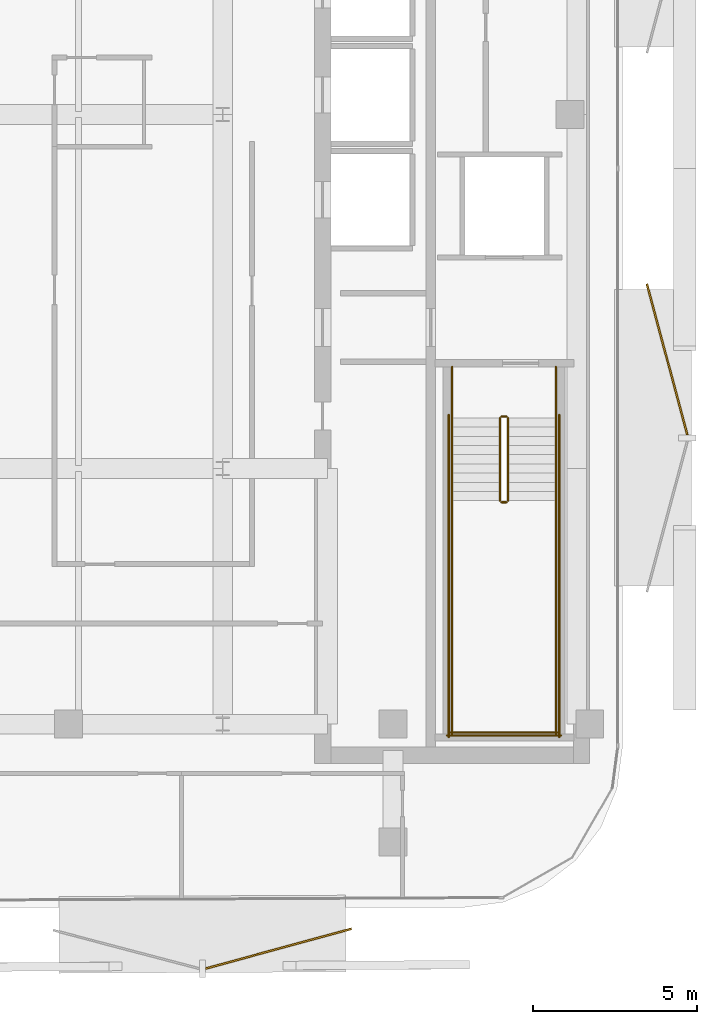
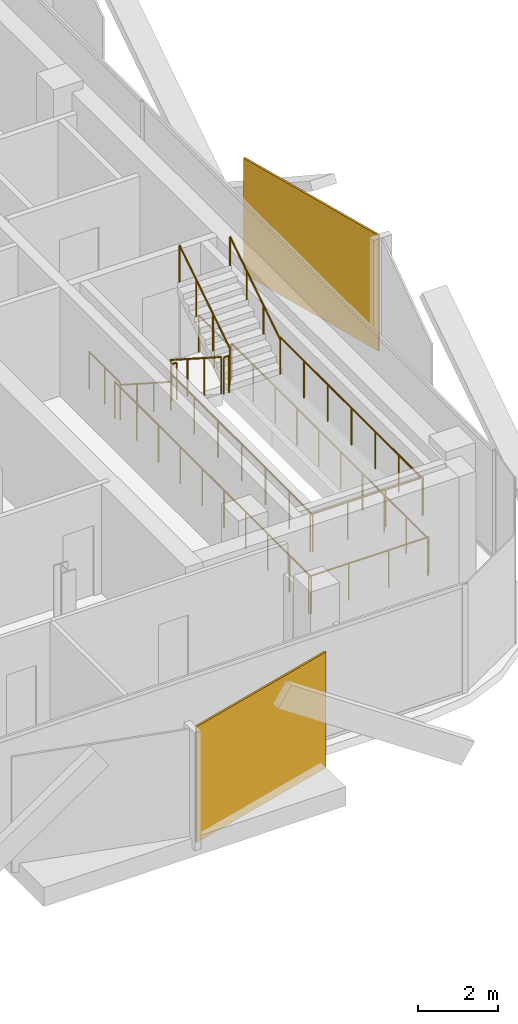
# One storey, part 14 of 15: 14 railings, 2 coverings.
"""IFC4 building model written with IfcOpenShell, lengths in metres."""

from ifc_helpers import new_model, si_unit, direction, frame, origin, origin_2d, place, context, subcontext, project, spatial, rectangle, circle, extrude, material, layer, layer_set, type_object, element, save


model = new_model("IFC4")

# Units and contexts
model_context = context("Model", 3, precision=1e-05, world=origin(), true_north=direction((0.0, 1.0)))
body_context = subcontext(model_context, "Body", "Model", "MODEL_VIEW")
ifc_project = project(units=[si_unit("LENGTHUNIT", "METRE"), si_unit("AREAUNIT", "SQUARE_METRE"), si_unit("VOLUMEUNIT", "CUBIC_METRE"), si_unit("PLANEANGLEUNIT", "RADIAN"), si_unit("MASSUNIT", "GRAM", prefix="KILO")], contexts=[model_context])

# Site, building, storey
site_placement = place(None, origin())
site = spatial("IfcSite", under=ifc_project, at=site_placement, CompositionType="ELEMENT")
building_placement = place(site_placement, origin())
building = spatial("IfcBuilding", under=site, at=building_placement, Name="Khairoan Windgate Tower", CompositionType="ELEMENT")
storey_placement = place(building_placement, frame((0.0, 0.0, 265.60009765625)))
storey = spatial("IfcBuildingStorey", under=building, at=storey_placement, Name="L63", CompositionType="ELEMENT", Elevation=265.60009765625)

# Coverings
ifc_material_1 = material(Name="Anodised Bronze Aluminium 6063-T6", Category="aluminium")
ifc_layer = layer(ifc_material_1, 0.054931640625, Name="Anodised Bronze Aluminium 6063-T6")
ifc_layer_set = layer_set([ifc_layer], Name="Anodised Bronze Aluminium 6063-T6")
covering_type = type_object("IfcCoveringType", Name="Perforated Bronze-Ceramic Folded Solar Screen Cladding BSC-1", PredefinedType="CLADDING", material=ifc_layer_set)
covering_1_placement = place(storey_placement, frame((10.901611328125, -25.4521484375, -0.10009765625), z_axis=(0.0, 0.0, 1.0), x_axis=(-0.964695449838, -0.263367972734, 0.0)))
element("IfcCovering", 1, at=covering_1_placement, inside=storey, type_object=covering_type, Name="L63 Folded Bronze Solar Screen Facet 433L", PredefinedType="CLADDING", context=body_context, shape_type="SweptSolid", body=[
    extrude(rectangle(XDim=4.614013671875, YDim=0.054931640625, at=origin_2d()), origin(), (0.0, 0.0, 1.0), 3.5400390625),
])
covering_2_placement = place(storey_placement, frame((22.7626953125, -7.474365234375, -0.10009765625), z_axis=(0.0, 0.0, 1.0), x_axis=(0.258819045103, -0.965925826289, 0.0)))
element("IfcCovering", 2, at=covering_2_placement, inside=storey, type_object=covering_type, Name="L63 Folded Bronze Solar Screen Facet 440L", PredefinedType="CLADDING", context=body_context, shape_type="SweptSolid", body=[
    extrude(rectangle(XDim=4.76904296875, YDim=0.054931640625, at=origin_2d()), origin(), (0.0, 0.0, 1.0), 3.5400390625),
])

# Railings
ifc_material_2 = material(Name="Anodised Bronze Aluminium 6063-T6", Category="aluminium")
railing_type_1 = type_object("IfcRailingType", Name="Stair Wall Handrail SHR-900", PredefinedType="HANDRAIL", material=ifc_material_2)
railing_1_placement = place(storey_placement, frame((16.199951171875, -9.260009765625, 0.179931640625)))
element("IfcRailing", 3, at=railing_1_placement, inside=storey, type_object=railing_type_1, Name="L63 ST1 stair handrail 1", PredefinedType="HANDRAIL", context=body_context, shape_type="SweptSolid", body=[
    extrude(circle(Radius=0.02392578125, at=origin_2d()), frame((0.0, 0.0, 0.8759765625), z_axis=(0.0, -0.841199657755, 0.540724639528), x_axis=(1.0, 0.0, 0.0)), (0.0, 0.0, 1.0), 2.995849609375),
    extrude(circle(Radius=0.02099609375, at=origin_2d()), origin(), (0.0, 0.0, 1.0), 0.851806640625),
    extrude(circle(Radius=0.02099609375, at=origin_2d()), frame((0.0, -0.840087890625, 0.5400390625)), (0.0, 0.0, 1.0), 0.851806640625),
    extrude(circle(Radius=0.02099609375, at=origin_2d()), frame((0.0, -1.679931640625, 1.079833984375)), (0.0, 0.0, 1.0), 0.851806640625),
    extrude(circle(Radius=0.02099609375, at=origin_2d()), frame((0.0, -2.52001953125, 1.619873046875)), (0.0, 0.0, 1.0), 0.851806640625),
])
railing_2_placement = place(storey_placement, frame((19.3701171875, -11.780029296875, 1.97998046875)))
element("IfcRailing", 4, at=railing_2_placement, inside=storey, type_object=railing_type_1, Name="L63 ST1 stair handrail 2", PredefinedType="HANDRAIL", context=body_context, shape_type="SweptSolid", body=[
    extrude(circle(Radius=0.02392578125, at=origin_2d()), frame((0.0, 0.0, 0.8759765625), z_axis=(0.0, 0.841199657755, 0.540724639528), x_axis=(-1.0, 0.0, 0.0)), (0.0, 0.0, 1.0), 2.995849609375),
    extrude(circle(Radius=0.02099609375, at=origin_2d()), origin(), (0.0, 0.0, 1.0), 0.851806640625),
    extrude(circle(Radius=0.02099609375, at=origin_2d()), frame((0.0, 0.840087890625, 0.5400390625)), (0.0, 0.0, 1.0), 0.851806640625),
    extrude(circle(Radius=0.02099609375, at=origin_2d()), frame((0.0, 1.679931640625, 1.079833984375)), (0.0, 0.0, 1.0), 0.851806640625),
    extrude(circle(Radius=0.02099609375, at=origin_2d()), frame((0.0, 2.52001953125, 1.619873046875)), (0.0, 0.0, 1.0), 0.851806640625),
])
ifc_material_3 = material(Name="Steel S355", Category="steel")
railing_type_2 = type_object("IfcRailingType", Name="Stairwell Safety Guardrail SGR-1150", PredefinedType="GUARDRAIL", material=ifc_material_3)
railing_3_placement = place(storey_placement, frame((17.659912109375, -9.260009765625, 0.179931640625)))
element("IfcRailing", 5, at=railing_3_placement, inside=storey, type_object=railing_type_2, Name="L63 ST1 stair guard 1", PredefinedType="GUARDRAIL", context=body_context, shape_type="SweptSolid", body=[
    extrude(circle(Radius=0.02392578125, at=origin_2d()), frame((0.0, 0.0, 1.1259765625), z_axis=(0.0, -0.841199657755, 0.540724639528), x_axis=(1.0, 0.0, 0.0)), (0.0, 0.0, 1.0), 2.995849609375),
    extrude(circle(Radius=0.02099609375, at=origin_2d()), origin(), (0.0, 0.0, 1.0), 1.101806640625),
    extrude(circle(Radius=0.02099609375, at=origin_2d()), frame((0.0, -0.840087890625, 0.5400390625)), (0.0, 0.0, 1.0), 1.101806640625),
    extrude(circle(Radius=0.02099609375, at=origin_2d()), frame((0.0, -1.679931640625, 1.079833984375)), (0.0, 0.0, 1.0), 1.101806640625),
    extrude(circle(Radius=0.02099609375, at=origin_2d()), frame((0.0, -2.52001953125, 1.619873046875)), (0.0, 0.0, 1.0), 1.101806640625),
])
railing_4_placement = place(storey_placement, frame((17.7099609375, -11.830078125, 1.7998046875)))
element("IfcRailing", 6, at=railing_4_placement, inside=storey, type_object=railing_type_2, Name="L63 ST1 stair guard 2", PredefinedType="GUARDRAIL", context=body_context, shape_type="SweptSolid", body=[
    extrude(circle(Radius=0.02392578125, at=origin_2d()), frame((0.0, 0.0, 1.1259765625), z_axis=(1.0, 0.0, 0.0), x_axis=(0.0, 1.0, 0.0)), (0.0, 0.0, 1.0), 0.150146484375),
    extrude(circle(Radius=0.02099609375, at=origin_2d()), origin(), (0.0, 0.0, 1.0), 1.101806640625),
    extrude(circle(Radius=0.02099609375, at=origin_2d()), frame((0.150146484375, 0.0, 0.0)), (0.0, 0.0, 1.0), 1.101806640625),
])
for number, where, name in (
    (7, (16.199951171875, -11.780029296875, 1.7998046875), "L63 ST1 stair guard 3"),
    (8, (19.3701171875, -11.780029296875, 1.7998046875), "L63 ST1 stair guard 4"),
):
    element("IfcRailing", number, at=place(storey_placement, frame(where)), inside=storey, type_object=railing_type_2, Name=name, PredefinedType="GUARDRAIL", context=body_context, shape_type="SweptSolid", body=[
        extrude(circle(Radius=0.02392578125, at=origin_2d()), frame((0.0, 0.0, 1.1259765625), z_axis=(0.0, -1.0, 0.0), x_axis=(1.0, 0.0, 0.0)), (0.0, 0.0, 1.0), 7.119873046875),
        extrude(circle(Radius=0.02099609375, at=origin_2d()), origin(), (0.0, 0.0, 1.0), 1.101806640625),
        extrude(circle(Radius=0.02099609375, at=origin_2d()), frame((0.0, -1.1865234375, 0.0)), (0.0, 0.0, 1.0), 1.101806640625),
        extrude(circle(Radius=0.02099609375, at=origin_2d()), frame((0.0, -2.373291015625, 0.0)), (0.0, 0.0, 1.0), 1.101806640625),
        extrude(circle(Radius=0.02099609375, at=origin_2d()), frame((0.0, -3.56005859375, 0.0)), (0.0, 0.0, 1.0), 1.101806640625),
        extrude(circle(Radius=0.02099609375, at=origin_2d()), frame((0.0, -4.74658203125, 0.0)), (0.0, 0.0, 1.0), 1.101806640625),
        extrude(circle(Radius=0.02099609375, at=origin_2d()), frame((0.0, -5.93310546875, 0.0)), (0.0, 0.0, 1.0), 1.101806640625),
        extrude(circle(Radius=0.02099609375, at=origin_2d()), frame((0.0, -7.119873046875, 0.0)), (0.0, 0.0, 1.0), 1.101806640625),
    ])
railing_5_placement = place(storey_placement, frame((16.14990234375, -18.85009765625, 1.7998046875)))
element("IfcRailing", 9, at=railing_5_placement, inside=storey, type_object=railing_type_2, Name="L63 ST1 stair guard 5", PredefinedType="GUARDRAIL", context=body_context, shape_type="SweptSolid", body=[
    extrude(circle(Radius=0.02392578125, at=origin_2d()), frame((0.0, 0.0, 1.1259765625), z_axis=(1.0, 0.0, 0.0), x_axis=(0.0, 1.0, 0.0)), (0.0, 0.0, 1.0), 3.27001953125),
    extrude(circle(Radius=0.02099609375, at=origin_2d()), origin(), (0.0, 0.0, 1.0), 1.101806640625),
    extrude(circle(Radius=0.02099609375, at=origin_2d()), frame((1.090087890625, 0.0, 0.0)), (0.0, 0.0, 1.0), 1.101806640625),
    extrude(circle(Radius=0.02099609375, at=origin_2d()), frame((2.179931640625, 0.0, 0.0)), (0.0, 0.0, 1.0), 1.101806640625),
    extrude(circle(Radius=0.02099609375, at=origin_2d()), frame((3.27001953125, 0.0, 0.0)), (0.0, 0.0, 1.0), 1.101806640625),
])
railing_6_placement = place(storey_placement, frame((17.909912109375, -11.780029296875, 1.97998046875)))
element("IfcRailing", 10, at=railing_6_placement, inside=storey, type_object=railing_type_2, Name="L63 ST1 stair guard 6", PredefinedType="GUARDRAIL", context=body_context, shape_type="SweptSolid", body=[
    extrude(circle(Radius=0.02392578125, at=origin_2d()), frame((0.0, 0.0, 1.1259765625), z_axis=(0.0, 0.841199657755, 0.540724639528), x_axis=(-1.0, 0.0, 0.0)), (0.0, 0.0, 1.0), 2.995849609375),
    extrude(circle(Radius=0.02099609375, at=origin_2d()), origin(), (0.0, 0.0, 1.0), 1.101806640625),
    extrude(circle(Radius=0.02099609375, at=origin_2d()), frame((0.0, 0.840087890625, 0.5400390625)), (0.0, 0.0, 1.0), 1.101806640625),
    extrude(circle(Radius=0.02099609375, at=origin_2d()), frame((0.0, 1.679931640625, 1.079833984375)), (0.0, 0.0, 1.0), 1.101806640625),
    extrude(circle(Radius=0.02099609375, at=origin_2d()), frame((0.0, 2.52001953125, 1.619873046875)), (0.0, 0.0, 1.0), 1.101806640625),
])
railing_7_placement = place(storey_placement, frame((17.7099609375, -9.2099609375, 0.0)))
element("IfcRailing", 11, at=railing_7_placement, inside=storey, type_object=railing_type_2, Name="L63 ST1 stair guard 7", PredefinedType="GUARDRAIL", context=body_context, shape_type="SweptSolid", body=[
    extrude(circle(Radius=0.02392578125, at=origin_2d()), frame((0.0, 0.0, 1.1259765625), z_axis=(1.0, 0.0, 0.0), x_axis=(0.0, 1.0, 0.0)), (0.0, 0.0, 1.0), 0.150146484375),
    extrude(circle(Radius=0.02099609375, at=origin_2d()), origin(), (0.0, 0.0, 1.0), 1.101806640625),
    extrude(circle(Radius=0.02099609375, at=origin_2d()), frame((0.150146484375, 0.0, 0.0)), (0.0, 0.0, 1.0), 1.101806640625),
])
for number, where, name in (
    (12, (16.199951171875, -7.699951171875, 0.0), "L63 ST1 stair guard 8"),
    (13, (19.3701171875, -7.699951171875, 0.0), "L63 ST1 stair guard 9"),
):
    element("IfcRailing", number, at=place(storey_placement, frame(where)), inside=storey, type_object=railing_type_2, Name=name, PredefinedType="GUARDRAIL", context=body_context, shape_type="SweptSolid", body=[
        extrude(circle(Radius=0.02392578125, at=origin_2d()), frame((0.0, 0.0, 1.1259765625), z_axis=(0.0, -1.0, 0.0), x_axis=(1.0, 0.0, 0.0)), (0.0, 0.0, 1.0), 1.56005859375),
        extrude(circle(Radius=0.02099609375, at=origin_2d()), origin(), (0.0, 0.0, 1.0), 1.101806640625),
        extrude(circle(Radius=0.02099609375, at=origin_2d()), frame((0.0, -0.780029296875, 0.0)), (0.0, 0.0, 1.0), 1.101806640625),
        extrude(circle(Radius=0.02099609375, at=origin_2d()), frame((0.0, -1.56005859375, 0.0)), (0.0, 0.0, 1.0), 1.101806640625),
    ])
for number, where, name in (
    (14, (16.10009765625, -9.159912109375, 0.0), "L63 ST1 stair guard 10"),
    (15, (19.469970703125, -9.159912109375, 0.0), "L63 ST1 stair guard 11"),
):
    element("IfcRailing", number, at=place(storey_placement, frame(where)), inside=storey, type_object=railing_type_2, Name=name, PredefinedType="GUARDRAIL", context=body_context, shape_type="SweptSolid", body=[
        extrude(circle(Radius=0.02392578125, at=origin_2d()), frame((0.0, 0.0, 1.1259765625), z_axis=(0.0, -1.0, 0.0), x_axis=(1.0, 0.0, 0.0)), (0.0, 0.0, 1.0), 9.840087890625),
        extrude(circle(Radius=0.02099609375, at=origin_2d()), origin(), (0.0, 0.0, 1.0), 1.101806640625),
        extrude(circle(Radius=0.02099609375, at=origin_2d()), frame((0.0, -1.09326171875, 0.0)), (0.0, 0.0, 1.0), 1.101806640625),
        extrude(circle(Radius=0.02099609375, at=origin_2d()), frame((0.0, -2.186767578125, 0.0)), (0.0, 0.0, 1.0), 1.101806640625),
        extrude(circle(Radius=0.02099609375, at=origin_2d()), frame((0.0, -3.280029296875, 0.0)), (0.0, 0.0, 1.0), 1.101806640625),
        extrude(circle(Radius=0.02099609375, at=origin_2d()), frame((0.0, -4.373291015625, 0.0)), (0.0, 0.0, 1.0), 1.101806640625),
        extrude(circle(Radius=0.02099609375, at=origin_2d()), frame((0.0, -5.466796875, 0.0)), (0.0, 0.0, 1.0), 1.101806640625),
        extrude(circle(Radius=0.02099609375, at=origin_2d()), frame((0.0, -6.56005859375, 0.0)), (0.0, 0.0, 1.0), 1.101806640625),
        extrude(circle(Radius=0.02099609375, at=origin_2d()), frame((0.0, -7.6533203125, 0.0)), (0.0, 0.0, 1.0), 1.101806640625),
        extrude(circle(Radius=0.02099609375, at=origin_2d()), frame((0.0, -8.746826171875, 0.0)), (0.0, 0.0, 1.0), 1.101806640625),
        extrude(circle(Radius=0.02099609375, at=origin_2d()), frame((0.0, -9.840087890625, 0.0)), (0.0, 0.0, 1.0), 1.101806640625),
    ])
railing_8_placement = place(storey_placement, frame((16.050048828125, -18.949951171875, 0.0)))
element("IfcRailing", 16, at=railing_8_placement, inside=storey, type_object=railing_type_2, Name="L63 ST1 stair guard 12", PredefinedType="GUARDRAIL", context=body_context, shape_type="SweptSolid", body=[
    extrude(circle(Radius=0.02392578125, at=origin_2d()), frame((0.0, 0.0, 1.1259765625), z_axis=(1.0, 0.0, 0.0), x_axis=(0.0, 1.0, 0.0)), (0.0, 0.0, 1.0), 3.469970703125),
    extrude(circle(Radius=0.02099609375, at=origin_2d()), origin(), (0.0, 0.0, 1.0), 1.101806640625),
    extrude(circle(Radius=0.02099609375, at=origin_2d()), frame((1.15673828125, 0.0, 0.0)), (0.0, 0.0, 1.0), 1.101806640625),
    extrude(circle(Radius=0.02099609375, at=origin_2d()), frame((2.313232421875, 0.0, 0.0)), (0.0, 0.0, 1.0), 1.101806640625),
    extrude(circle(Radius=0.02099609375, at=origin_2d()), frame((3.469970703125, 0.0, 0.0)), (0.0, 0.0, 1.0), 1.101806640625),
])

save(model, "model.ifc")
